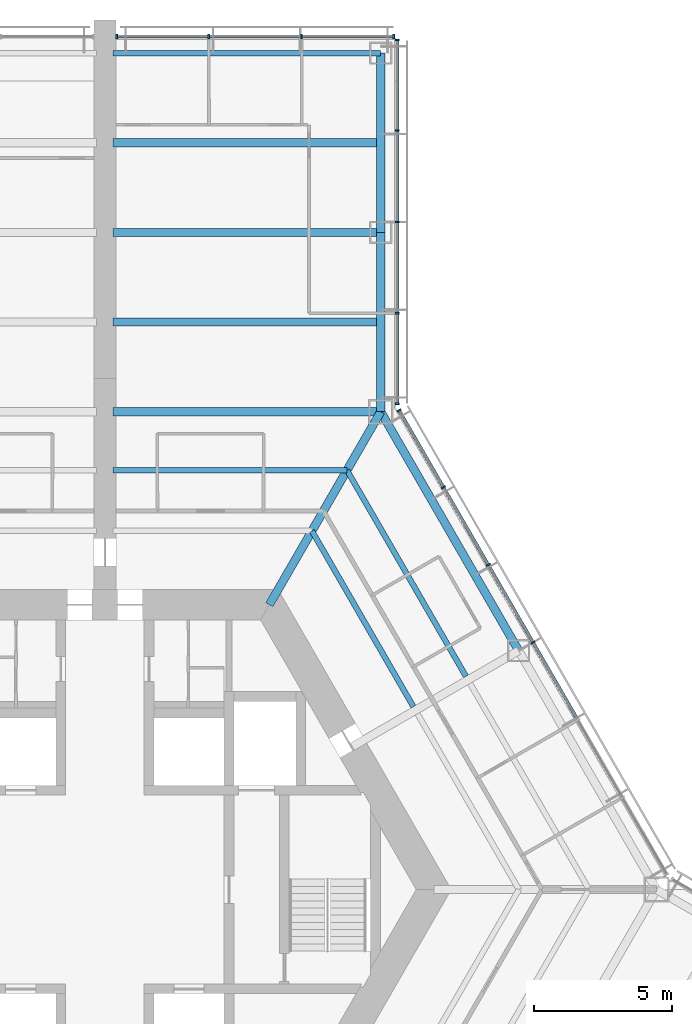
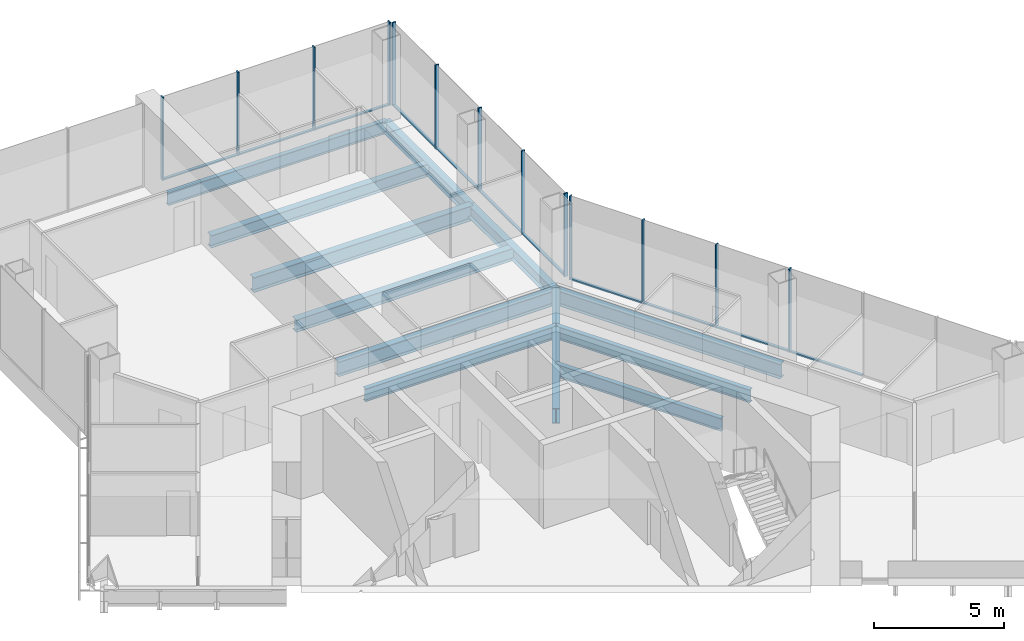
# One storey, part 8 of 19: 24 members, 12 beams, 3 elements without a shape of their own.
"""IFC4 building model written with IfcOpenShell, lengths in metres."""

from ifc_helpers import new_model, si_unit, direction, frame, origin, origin_2d, place, context, subcontext, project, spatial, rectangle, i_section, extrude, material, material_profile, profile_set, type_object, element, aggregate, save


model = new_model("IFC4")

# Units and contexts
model_context = context("Model", 3, precision=1e-05, world=origin(), true_north=direction((0.0, 1.0)))
body_context = subcontext(model_context, "Body", "Model", "MODEL_VIEW")
ifc_project = project(units=[si_unit("LENGTHUNIT", "METRE"), si_unit("AREAUNIT", "SQUARE_METRE"), si_unit("VOLUMEUNIT", "CUBIC_METRE"), si_unit("PLANEANGLEUNIT", "RADIAN"), si_unit("MASSUNIT", "GRAM", prefix="KILO")], contexts=[model_context])

# Site, building, storey
site_placement = place(None, origin())
site = spatial("IfcSite", under=ifc_project, at=site_placement, CompositionType="ELEMENT")
building_placement = place(site_placement, origin())
building = spatial("IfcBuilding", under=site, at=building_placement, Name="Kasaneha Research Tower", CompositionType="ELEMENT")
storey_placement = place(building_placement, frame((0.0, 0.0, 96.300048828125)))
storey = spatial("IfcBuildingStorey", under=building, at=storey_placement, Name="L24", CompositionType="ELEMENT", Elevation=96.300048828125)

# Beams
ifc_material_1 = material(Name="Steel SN490B", Category="steel")
ifc_material_profile_1 = material_profile(ifc_material_1, i_section(OverallWidth=0.199951171875, OverallDepth=0.60009765625, WebThickness=0.010986328125, FlangeThickness=0.01708984375, FilletRadius=0.012939453125, at=origin_2d()), Name="H-600x200x11x17")
ifc_profile_set_1 = profile_set([ifc_material_profile_1], Name="Steel SN490B")
beam_type_1 = type_object("IfcBeamType", Name="B1-3 secondary beam H-600x200x11x17", PredefinedType="JOIST", material=ifc_profile_set_1)
beam_1_placement = place(storey_placement, frame((7.505615234375, 13.0, -0.449951171875), z_axis=(0.499994443168, -0.866028611999, 0.0), x_axis=(0.866028611999, 0.499994443168, 0.0)))
element("IfcBeam", 1, at=beam_1_placement, inside=storey, type_object=beam_type_1, Name="Secondary beam RS030R1 L24", PredefinedType="JOIST", context=body_context, shape_type="SweptSolid", body=[
    extrude(i_section(OverallWidth=0.199951171875, OverallDepth=0.60009765625, WebThickness=0.010986328125, FlangeThickness=0.01708984375, FilletRadius=0.012939453125, at=origin_2d()), origin(), (0.0, 0.0, 1.0), 7.35546875),
])
beam_2_placement = place(storey_placement, frame((8.775634765625, 15.199951171875, -0.449951171875), z_axis=(0.500017275495, -0.866015429543, 0.0), x_axis=(0.866015429543, 0.500017275495, 0.0)))
element("IfcBeam", 2, at=beam_2_placement, inside=storey, type_object=beam_type_1, Name="Secondary beam RS030R2 L24", PredefinedType="JOIST", context=body_context, shape_type="SweptSolid", body=[
    extrude(i_section(OverallWidth=0.199951171875, OverallDepth=0.60009765625, WebThickness=0.010986328125, FlangeThickness=0.01708984375, FilletRadius=0.012939453125, at=origin_2d()), origin(), (0.0, 0.0, 1.0), 8.625732421875),
])
beam_3_placement = place(storey_placement, frame((8.775634765625, 15.199951171875, -0.449951171875), z_axis=(-1.0, 0.0, 0.0), x_axis=(0.0, -1.0, 0.0)))
element("IfcBeam", 3, at=beam_3_placement, inside=storey, type_object=beam_type_1, Name="Secondary beam RS090L2 L24", PredefinedType="JOIST", context=body_context, shape_type="SweptSolid", body=[
    extrude(i_section(OverallWidth=0.199951171875, OverallDepth=0.60009765625, WebThickness=0.010986328125, FlangeThickness=0.01708984375, FilletRadius=0.012939453125, at=origin_2d()), origin(), (0.0, 0.0, 1.0), 8.4755859375),
])
ifc_material_2 = material(Name="Steel SN490B", Category="steel")
ifc_material_profile_2 = material_profile(ifc_material_2, i_section(OverallWidth=0.300048828125, OverallDepth=0.58203125, WebThickness=0.011962890625, FlangeThickness=0.01708984375, FilletRadius=0.012939453125, at=origin_2d()), Name="H-582x300x12x17")
ifc_profile_set_2 = profile_set([ifc_material_profile_2], Name="Steel SN490B")
beam_type_2 = type_object("IfcBeamType", Name="B2-3 secondary beam H-582x300x12x17", PredefinedType="JOIST", material=ifc_profile_set_2)
for number, where, z_axis, x_axis, name in (
    (4, (10.0, 20.570556640625, -0.441162109375), (-1.0, 0.0, 0.0), (0.0, -1.0, 0.0), "Secondary beam WBAP1 L24"),
    (5, (10.0, 27.070556640625, -0.441162109375), (-1.0, 0.0, 0.0), (0.0, -1.0, 0.0), "Secondary beam WBAP2 L24"),
):
    element("IfcBeam", number, at=place(storey_placement, frame(where, z_axis=z_axis, x_axis=x_axis)), inside=storey, type_object=beam_type_2, Name=name, PredefinedType="JOIST", context=body_context, shape_type="SweptSolid", body=[
        extrude(i_section(OverallWidth=0.300048828125, OverallDepth=0.58203125, WebThickness=0.011962890625, FlangeThickness=0.01708984375, FilletRadius=0.012939453125, at=origin_2d()), origin(), (0.0, 0.0, 1.0), 9.699951171875),
    ])

# Curtain wall, members
ifc_material_3 = material(Name="Glass and aluminium", Category="aluminium")
curtain_wall_type = type_object("IfcCurtainWallType", Name="Low-rise office curtain wall", PredefinedType="USERDEFINED", material=ifc_material_3)
curtain_wall_1_placement = place(storey_placement, origin())
curtain_wall_1 = element("IfcCurtainWall", 6, at=curtain_wall_1_placement, inside=storey, type_object=curtain_wall_type, Name="CW-O1 L24 run 07a", ObjectType="UNITISED CURTAIN WALL", PredefinedType="USERDEFINED")
ifc_material_4 = material(Name="Aluminium 6063-T6", Category="aluminium")
ifc_material_profile_3 = material_profile(ifc_material_4, rectangle(XDim=0.06005859375, YDim=0.159912109375, at=origin_2d()), Name="CW-O1 mullion 60x160")
ifc_profile_set_3 = profile_set([ifc_material_profile_3], Name="Aluminium 6063-T6")
member_type_1 = type_object("IfcMemberType", Name="CW-O1 mullion", PredefinedType="MULLION", material=ifc_profile_set_3)
member_1_placement = place(storey_placement, frame((15.51953125, 8.960205078125, 0.0), z_axis=(0.0, 0.0, 1.0), x_axis=(-0.49999996188, 0.866025425793, 0.0)))
member_1 = element("IfcMember", 7, at=member_1_placement, type_object=member_type_1, Name="CW-O1 mullion 4", PredefinedType="MULLION", context=body_context, shape_type="SweptSolid", body=[
    extrude(rectangle(XDim=0.06005859375, YDim=0.159912109375, at=origin_2d()), origin(), (0.0, 0.0, 1.0), 3.89990234375),
])
member_2_placement = place(storey_placement, frame((13.896484375, 11.771728515625, 0.0), z_axis=(0.0, 0.0, 1.0), x_axis=(-0.49999996188, 0.866025425793, 0.0)))
member_2 = element("IfcMember", 8, at=member_2_placement, type_object=member_type_1, Name="CW-O1 mullion 5", PredefinedType="MULLION", context=body_context, shape_type="SweptSolid", body=[
    extrude(rectangle(XDim=0.06005859375, YDim=0.159912109375, at=origin_2d()), origin(), (0.0, 0.0, 1.0), 3.89990234375),
])
member_3_placement = place(storey_placement, frame((12.273193359375, 14.583251953125, 0.0), z_axis=(0.0, 0.0, 1.0), x_axis=(-0.49999996188, 0.866025425793, 0.0)))
member_3 = element("IfcMember", 9, at=member_3_placement, type_object=member_type_1, Name="CW-O1 mullion 6", PredefinedType="MULLION", context=body_context, shape_type="SweptSolid", body=[
    extrude(rectangle(XDim=0.06005859375, YDim=0.159912109375, at=origin_2d()), origin(), (0.0, 0.0, 1.0), 3.89990234375),
])
member_4_placement = place(storey_placement, frame((10.6650390625, 17.36865234375, 0.0), z_axis=(0.0, 0.0, 1.0), x_axis=(-0.49999996188, 0.866025425793, 0.0)))
member_4 = element("IfcMember", 10, at=member_4_placement, type_object=member_type_1, Name="CW-O1 mullion 7", PredefinedType="MULLION", context=body_context, shape_type="SweptSolid", body=[
    extrude(rectangle(XDim=0.06005859375, YDim=0.159912109375, at=origin_2d()), origin(), (0.0, 0.0, 1.0), 3.89990234375),
])

curtain_wall_2_placement = place(storey_placement, origin())
curtain_wall_2 = element("IfcCurtainWall", 11, at=curtain_wall_2_placement, inside=storey, type_object=curtain_wall_type, Name="CW-O1 L24 run 08a", ObjectType="UNITISED CURTAIN WALL", PredefinedType="USERDEFINED")
member_5_placement = place(storey_placement, frame((10.60009765625, 17.611328125, 0.0), z_axis=(0.0, 0.0, 1.0), x_axis=(0.0, 1.0, 0.0)))
member_5 = element("IfcMember", 12, at=member_5_placement, type_object=member_type_1, Name="CW-O1 mullion 1", PredefinedType="MULLION", context=body_context, shape_type="SweptSolid", body=[
    extrude(rectangle(XDim=0.06005859375, YDim=0.159912109375, at=origin_2d()), origin(), (0.0, 0.0, 1.0), 3.89990234375),
])
member_6_placement = place(storey_placement, frame((10.60009765625, 20.89111328125, 0.0), z_axis=(0.0, 0.0, 1.0), x_axis=(0.0, 1.0, 0.0)))
member_6 = element("IfcMember", 13, at=member_6_placement, type_object=member_type_1, Name="CW-O1 mullion 2", PredefinedType="MULLION", context=body_context, shape_type="SweptSolid", body=[
    extrude(rectangle(XDim=0.06005859375, YDim=0.159912109375, at=origin_2d()), origin(), (0.0, 0.0, 1.0), 3.89990234375),
])
member_7_placement = place(storey_placement, frame((10.60009765625, 24.200927734375, 0.0), z_axis=(0.0, 0.0, 1.0), x_axis=(0.0, 1.0, 0.0)))
member_7 = element("IfcMember", 14, at=member_7_placement, type_object=member_type_1, Name="CW-O1 mullion 3", PredefinedType="MULLION", context=body_context, shape_type="SweptSolid", body=[
    extrude(rectangle(XDim=0.06005859375, YDim=0.159912109375, at=origin_2d()), origin(), (0.0, 0.0, 1.0), 3.89990234375),
])
member_8_placement = place(storey_placement, frame((10.60009765625, 27.5107421875, 0.0), z_axis=(0.0, 0.0, 1.0), x_axis=(0.0, 1.0, 0.0)))
member_8 = element("IfcMember", 15, at=member_8_placement, type_object=member_type_1, Name="CW-O1 mullion 4", PredefinedType="MULLION", context=body_context, shape_type="SweptSolid", body=[
    extrude(rectangle(XDim=0.06005859375, YDim=0.159912109375, at=origin_2d()), origin(), (0.0, 0.0, 1.0), 3.89990234375),
])
member_9_placement = place(storey_placement, frame((10.60009765625, 30.79052734375, 0.0), z_axis=(0.0, 0.0, 1.0), x_axis=(0.0, 1.0, 0.0)))
member_9 = element("IfcMember", 16, at=member_9_placement, type_object=member_type_1, Name="CW-O1 mullion 5", PredefinedType="MULLION", context=body_context, shape_type="SweptSolid", body=[
    extrude(rectangle(XDim=0.06005859375, YDim=0.159912109375, at=origin_2d()), origin(), (0.0, 0.0, 1.0), 3.89990234375),
])

curtain_wall_3_placement = place(storey_placement, origin())
curtain_wall_3 = element("IfcCurtainWall", 17, at=curtain_wall_3_placement, inside=storey, type_object=curtain_wall_type, Name="CW-O1 L24 run 09a", ObjectType="UNITISED CURTAIN WALL", PredefinedType="USERDEFINED")
member_10_placement = place(storey_placement, frame((10.469970703125, 30.92041015625, 0.0), z_axis=(0.0, 0.0, 1.0), x_axis=(-1.0, 0.0, 0.0)))
member_10 = element("IfcMember", 18, at=member_10_placement, type_object=member_type_1, Name="CW-O1 mullion 1", PredefinedType="MULLION", context=body_context, shape_type="SweptSolid", body=[
    extrude(rectangle(XDim=0.06005859375, YDim=0.159912109375, at=origin_2d()), origin(), (0.0, 0.0, 1.0), 3.89990234375),
])
member_11_placement = place(storey_placement, frame((7.13330078125, 30.92041015625, 0.0), z_axis=(0.0, 0.0, 1.0), x_axis=(-1.0, 0.0, 0.0)))
member_11 = element("IfcMember", 19, at=member_11_placement, type_object=member_type_1, Name="CW-O1 mullion 2", PredefinedType="MULLION", context=body_context, shape_type="SweptSolid", body=[
    extrude(rectangle(XDim=0.06005859375, YDim=0.159912109375, at=origin_2d()), origin(), (0.0, 0.0, 1.0), 3.89990234375),
])
member_12_placement = place(storey_placement, frame((3.7666015625, 30.92041015625, 0.0), z_axis=(0.0, 0.0, 1.0), x_axis=(-1.0, 0.0, 0.0)))
member_12 = element("IfcMember", 20, at=member_12_placement, type_object=member_type_1, Name="CW-O1 mullion 3", PredefinedType="MULLION", context=body_context, shape_type="SweptSolid", body=[
    extrude(rectangle(XDim=0.06005859375, YDim=0.159912109375, at=origin_2d()), origin(), (0.0, 0.0, 1.0), 3.89990234375),
])
member_13_placement = place(storey_placement, frame((0.429931640625, 30.92041015625, 0.0), z_axis=(0.0, 0.0, 1.0), x_axis=(-1.0, 0.0, 0.0)))
member_13 = element("IfcMember", 21, at=member_13_placement, type_object=member_type_1, Name="CW-O1 mullion 4", PredefinedType="MULLION", context=body_context, shape_type="SweptSolid", body=[
    extrude(rectangle(XDim=0.06005859375, YDim=0.159912109375, at=origin_2d()), origin(), (0.0, 0.0, 1.0), 3.89990234375),
])

# Member
ifc_material_5 = material(Name="Aluminium 6063-T6", Category="aluminium")
ifc_material_profile_4 = material_profile(ifc_material_5, rectangle(XDim=0.1201171875, YDim=0.06005859375, at=origin_2d()), Name="CW-O1 transom 120x60")
ifc_profile_set_4 = profile_set([ifc_material_profile_4], Name="Aluminium 6063-T6")
member_type_2 = type_object("IfcMemberType", Name="CW-O1 transom", PredefinedType="USERDEFINED", material=ifc_profile_set_4)
member_14_placement = place(storey_placement, frame((17.1279296875, 6.1748046875, 0.030029296875), z_axis=(-0.500012062035, 0.866018439653, 0.0), x_axis=(-0.866018439653, -0.500012062035, 0.0)))
member_14 = element("IfcMember", 22, at=member_14_placement, type_object=member_type_2, Name="CW-O1 transom 3", ObjectType="TRANSOM", PredefinedType="USERDEFINED", context=body_context, shape_type="SweptSolid", body=[
    extrude(rectangle(XDim=0.1201171875, YDim=0.06005859375, at=origin_2d()), origin(), (0.0, 0.0, 1.0), 3.1865234375),
])

member_15_placement = place(storey_placement, frame((15.504638671875, 8.986328125, 0.030029296875), z_axis=(-0.500012062035, 0.866018439653, 0.0), x_axis=(-0.866018439653, -0.500012062035, 0.0)))
member_15 = element("IfcMember", 23, at=member_15_placement, type_object=member_type_2, Name="CW-O1 transom 4", ObjectType="TRANSOM", PredefinedType="USERDEFINED", context=body_context, shape_type="SweptSolid", body=[
    extrude(rectangle(XDim=0.1201171875, YDim=0.06005859375, at=origin_2d()), origin(), (0.0, 0.0, 1.0), 3.1865234375),
])

member_16_placement = place(storey_placement, frame((13.88134765625, 11.797607421875, 0.030029296875), z_axis=(-0.500012062035, 0.866018439653, 0.0), x_axis=(-0.866018439653, -0.500012062035, 0.0)))
member_16 = element("IfcMember", 24, at=member_16_placement, type_object=member_type_2, Name="CW-O1 transom 5", ObjectType="TRANSOM", PredefinedType="USERDEFINED", context=body_context, shape_type="SweptSolid", body=[
    extrude(rectangle(XDim=0.1201171875, YDim=0.06005859375, at=origin_2d()), origin(), (0.0, 0.0, 1.0), 3.1865234375),
])

member_17_placement = place(storey_placement, frame((12.25830078125, 14.609130859375, 0.030029296875), z_axis=(-0.500023726918, 0.866011704609, 0.0), x_axis=(-0.866011704609, -0.500023726918, 0.0)))
member_17 = element("IfcMember", 25, at=member_17_placement, type_object=member_type_2, Name="CW-O1 transom 6", ObjectType="TRANSOM", PredefinedType="USERDEFINED", context=body_context, shape_type="SweptSolid", body=[
    extrude(rectangle(XDim=0.1201171875, YDim=0.06005859375, at=origin_2d()), origin(), (0.0, 0.0, 1.0), 3.156494140625),
])

aggregate(curtain_wall_1, [member_1, member_2, member_3, member_4, member_14, member_15, member_16, member_17])

member_18_placement = place(storey_placement, frame((10.60009765625, 17.641357421875, 0.030029296875), z_axis=(0.0, 1.0, 0.0), x_axis=(-1.0, 0.0, 0.0)))
member_18 = element("IfcMember", 26, at=member_18_placement, type_object=member_type_2, Name="CW-O1 transom 1", ObjectType="TRANSOM", PredefinedType="USERDEFINED", context=body_context, shape_type="SweptSolid", body=[
    extrude(rectangle(XDim=0.1201171875, YDim=0.06005859375, at=origin_2d()), origin(), (0.0, 0.0, 1.0), 3.2197265625),
])

member_19_placement = place(storey_placement, frame((10.60009765625, 20.921142578125, 0.030029296875), z_axis=(0.0, 1.0, 0.0), x_axis=(-1.0, 0.0, 0.0)))
member_19 = element("IfcMember", 27, at=member_19_placement, type_object=member_type_2, Name="CW-O1 transom 2", ObjectType="TRANSOM", PredefinedType="USERDEFINED", context=body_context, shape_type="SweptSolid", body=[
    extrude(rectangle(XDim=0.1201171875, YDim=0.06005859375, at=origin_2d()), origin(), (0.0, 0.0, 1.0), 3.249755859375),
])

member_20_placement = place(storey_placement, frame((10.60009765625, 24.23095703125, 0.030029296875), z_axis=(0.0, 1.0, 0.0), x_axis=(-1.0, 0.0, 0.0)))
member_20 = element("IfcMember", 28, at=member_20_placement, type_object=member_type_2, Name="CW-O1 transom 3", ObjectType="TRANSOM", PredefinedType="USERDEFINED", context=body_context, shape_type="SweptSolid", body=[
    extrude(rectangle(XDim=0.1201171875, YDim=0.06005859375, at=origin_2d()), origin(), (0.0, 0.0, 1.0), 3.249755859375),
])

member_21_placement = place(storey_placement, frame((10.60009765625, 27.540771484375, 0.030029296875), z_axis=(0.0, 1.0, 0.0), x_axis=(-1.0, 0.0, 0.0)))
member_21 = element("IfcMember", 29, at=member_21_placement, type_object=member_type_2, Name="CW-O1 transom 4", ObjectType="TRANSOM", PredefinedType="USERDEFINED", context=body_context, shape_type="SweptSolid", body=[
    extrude(rectangle(XDim=0.1201171875, YDim=0.06005859375, at=origin_2d()), origin(), (0.0, 0.0, 1.0), 3.2197265625),
])

aggregate(curtain_wall_2, [member_5, member_6, member_7, member_8, member_9, member_18, member_19, member_20, member_21])

member_22_placement = place(storey_placement, frame((10.43994140625, 30.92041015625, 0.030029296875), z_axis=(-1.0, 0.0, 0.0), x_axis=(0.0, -1.0, 0.0)))
member_22 = element("IfcMember", 30, at=member_22_placement, type_object=member_type_2, Name="CW-O1 transom 1", ObjectType="TRANSOM", PredefinedType="USERDEFINED", context=body_context, shape_type="SweptSolid", body=[
    extrude(rectangle(XDim=0.1201171875, YDim=0.06005859375, at=origin_2d()), origin(), (0.0, 0.0, 1.0), 3.276611328125),
])

member_23_placement = place(storey_placement, frame((7.103271484375, 30.92041015625, 0.030029296875), z_axis=(-1.0, 0.0, 0.0), x_axis=(0.0, -1.0, 0.0)))
member_23 = element("IfcMember", 31, at=member_23_placement, type_object=member_type_2, Name="CW-O1 transom 2", ObjectType="TRANSOM", PredefinedType="USERDEFINED", context=body_context, shape_type="SweptSolid", body=[
    extrude(rectangle(XDim=0.1201171875, YDim=0.06005859375, at=origin_2d()), origin(), (0.0, 0.0, 1.0), 3.306640625),
])

member_24_placement = place(storey_placement, frame((3.736572265625, 30.92041015625, 0.030029296875), z_axis=(-1.0, 0.0, 0.0), x_axis=(0.0, -1.0, 0.0)))
member_24 = element("IfcMember", 32, at=member_24_placement, type_object=member_type_2, Name="CW-O1 transom 3", ObjectType="TRANSOM", PredefinedType="USERDEFINED", context=body_context, shape_type="SweptSolid", body=[
    extrude(rectangle(XDim=0.1201171875, YDim=0.06005859375, at=origin_2d()), origin(), (0.0, 0.0, 1.0), 3.276611328125),
])

aggregate(curtain_wall_3, [member_10, member_11, member_12, member_13, member_22, member_23, member_24])

# Beams
ifc_material_6 = material(Name="Steel SN490B", Category="steel")
ifc_material_profile_5 = material_profile(ifc_material_6, i_section(OverallWidth=0.300048828125, OverallDepth=0.699951171875, WebThickness=0.012939453125, FlangeThickness=0.02392578125, FilletRadius=0.01806640625, at=origin_2d()), Name="H-700x300x13x24")
ifc_profile_set_5 = profile_set([ifc_material_profile_5], Name="Steel SN490B")
beam_type_3 = type_object("IfcBeamType", Name="G1-3 radial girder H-700x300x13x24", PredefinedType="BEAM", material=ifc_profile_set_5)
beam_4_placement = place(storey_placement, frame((5.961181640625, 10.324951171875, -0.5), z_axis=(0.49999105496, 0.866030568144, 0.0), x_axis=(-0.866030568144, 0.49999105496, 0.0)))
element("IfcBeam", 33, at=beam_4_placement, inside=storey, type_object=beam_type_3, Name="Radial girder RV060 L24", PredefinedType="BEAM", context=body_context, shape_type="SweptSolid", body=[
    extrude(i_section(OverallWidth=0.300048828125, OverallDepth=0.699951171875, WebThickness=0.012939453125, FlangeThickness=0.02392578125, FilletRadius=0.01806640625, at=origin_2d()), origin(), (0.0, 0.0, 1.0), 8.077880859375),
])
ifc_material_7 = material(Name="Steel SN490B", Category="steel")
ifc_material_profile_6 = material_profile(ifc_material_7, i_section(OverallWidth=0.300048828125, OverallDepth=0.69189453125, WebThickness=0.012939453125, FlangeThickness=0.02001953125, FilletRadius=0.01806640625, at=origin_2d()), Name="H-692x300x13x20")
ifc_profile_set_6 = profile_set([ifc_material_profile_6], Name="Steel SN490B")
beam_type_4 = type_object("IfcBeamType", Name="G3-3 plate edge girder H-692x300x13x20", PredefinedType="BEAM", material=ifc_profile_set_6)
beam_5_placement = place(storey_placement, frame((10.0, 17.320556640625, -0.49609375), z_axis=(-1.0, 0.0, 0.0), x_axis=(0.0, -1.0, 0.0)))
element("IfcBeam", 34, at=beam_5_placement, inside=storey, type_object=beam_type_4, Name="Plate edge girder PEAP L24", PredefinedType="BEAM", context=body_context, shape_type="SweptSolid", body=[
    extrude(i_section(OverallWidth=0.300048828125, OverallDepth=0.69189453125, WebThickness=0.012939453125, FlangeThickness=0.02001953125, FilletRadius=0.01806640625, at=origin_2d()), origin(), (0.0, 0.0, 1.0), 9.699951171875),
])
ifc_material_8 = material(Name="Steel SN490B", Category="steel")
ifc_material_profile_7 = material_profile(ifc_material_8, i_section(OverallWidth=0.300048828125, OverallDepth=0.699951171875, WebThickness=0.012939453125, FlangeThickness=0.02392578125, FilletRadius=0.01806640625, at=origin_2d()), Name="H-700x300x13x24")
ifc_profile_set_7 = profile_set([ifc_material_profile_7], Name="Steel SN490B")
beam_type_5 = type_object("IfcBeamType", Name="G4-3 wing girder H-700x300x13x24", PredefinedType="BEAM", material=ifc_profile_set_7)
beam_6_placement = place(storey_placement, frame((10.0, 23.820556640625, -0.5), z_axis=(-1.0, 0.0, 0.0), x_axis=(0.0, -1.0, 0.0)))
element("IfcBeam", 35, at=beam_6_placement, inside=storey, type_object=beam_type_5, Name="Wing girder WGAP L24", PredefinedType="BEAM", context=body_context, shape_type="SweptSolid", body=[
    extrude(i_section(OverallWidth=0.300048828125, OverallDepth=0.699951171875, WebThickness=0.012939453125, FlangeThickness=0.02392578125, FilletRadius=0.01806640625, at=origin_2d()), origin(), (0.0, 0.0, 1.0), 9.699951171875),
])
ifc_material_9 = material(Name="Steel SN490B", Category="steel")
ifc_material_profile_8 = material_profile(ifc_material_9, i_section(OverallWidth=0.300048828125, OverallDepth=0.69189453125, WebThickness=0.012939453125, FlangeThickness=0.02001953125, FilletRadius=0.01806640625, at=origin_2d()), Name="H-692x300x13x20")
ifc_profile_set_8 = profile_set([ifc_material_profile_8], Name="Steel SN490B")
beam_type_6 = type_object("IfcBeamType", Name="SB1-3 spandrel beam H-692x300x13x20", PredefinedType="SPANDREL", material=ifc_profile_set_8)
beam_7_placement = place(storey_placement, frame((10.0, 17.320556640625, -0.49609375), z_axis=(0.499993662806, -0.866029062534, 0.0), x_axis=(0.866029062534, 0.499993662806, 0.0)))
element("IfcBeam", 36, at=beam_7_placement, inside=storey, type_object=beam_type_6, Name="Spandrel beam SR030R L24", PredefinedType="SPANDREL", context=body_context, shape_type="SweptSolid", body=[
    extrude(i_section(OverallWidth=0.300048828125, OverallDepth=0.69189453125, WebThickness=0.012939453125, FlangeThickness=0.02001953125, FilletRadius=0.01806640625, at=origin_2d()), origin(), (0.0, 0.0, 1.0), 10.000244140625),
])
ifc_material_10 = material(Name="Steel SN490B", Category="steel")
ifc_material_profile_9 = material_profile(ifc_material_10, i_section(OverallWidth=0.300048828125, OverallDepth=0.58203125, WebThickness=0.011962890625, FlangeThickness=0.01708984375, FilletRadius=0.012939453125, at=origin_2d()), Name="H-582x300x12x17")
ifc_profile_set_9 = profile_set([ifc_material_profile_9], Name="Steel SN490B")
beam_type_7 = type_object("IfcBeamType", Name="SB2-3 spandrel beam H-582x300x12x17", PredefinedType="SPANDREL", material=ifc_profile_set_9)
for number, where, z_axis, x_axis, name in (
    (37, (10.0, 17.320556640625, -0.441162109375), (0.0, 1.0, 0.0), (-1.0, 0.0, 0.0), "Spandrel beam WSAP1 L24"),
    (38, (10.0, 23.820556640625, -0.441162109375), (0.0, 1.0, 0.0), (-1.0, 0.0, 0.0), "Spandrel beam WSAP2 L24"),
):
    element("IfcBeam", number, at=place(storey_placement, frame(where, z_axis=z_axis, x_axis=x_axis)), inside=storey, type_object=beam_type_7, Name=name, PredefinedType="SPANDREL", context=body_context, shape_type="SweptSolid", body=[
        extrude(i_section(OverallWidth=0.300048828125, OverallDepth=0.58203125, WebThickness=0.011962890625, FlangeThickness=0.01708984375, FilletRadius=0.012939453125, at=origin_2d()), origin(), (0.0, 0.0, 1.0), 6.5),
    ])
ifc_material_11 = material(Name="Steel SN490B", Category="steel")
ifc_material_profile_10 = material_profile(ifc_material_11, i_section(OverallWidth=0.199951171875, OverallDepth=0.60009765625, WebThickness=0.010986328125, FlangeThickness=0.01708984375, FilletRadius=0.012939453125, at=origin_2d()), Name="H-600x200x11x17")
ifc_profile_set_10 = profile_set([ifc_material_profile_10], Name="Steel SN490B")
beam_type_8 = type_object("IfcBeamType", Name="SB3-3 spandrel beam H-600x200x11x17", PredefinedType="SPANDREL", material=ifc_profile_set_10)
beam_8_placement = place(storey_placement, frame((10.0, 30.320556640625, -0.449951171875), z_axis=(-1.0, 0.0, 0.0), x_axis=(0.0, -1.0, 0.0)))
element("IfcBeam", 39, at=beam_8_placement, inside=storey, type_object=beam_type_8, Name="Spandrel beam WTAP L24", PredefinedType="SPANDREL", context=body_context, shape_type="SweptSolid", body=[
    extrude(i_section(OverallWidth=0.199951171875, OverallDepth=0.60009765625, WebThickness=0.010986328125, FlangeThickness=0.01708984375, FilletRadius=0.012939453125, at=origin_2d()), origin(), (0.0, 0.0, 1.0), 9.699951171875),
])

save(model, "model.ifc")
